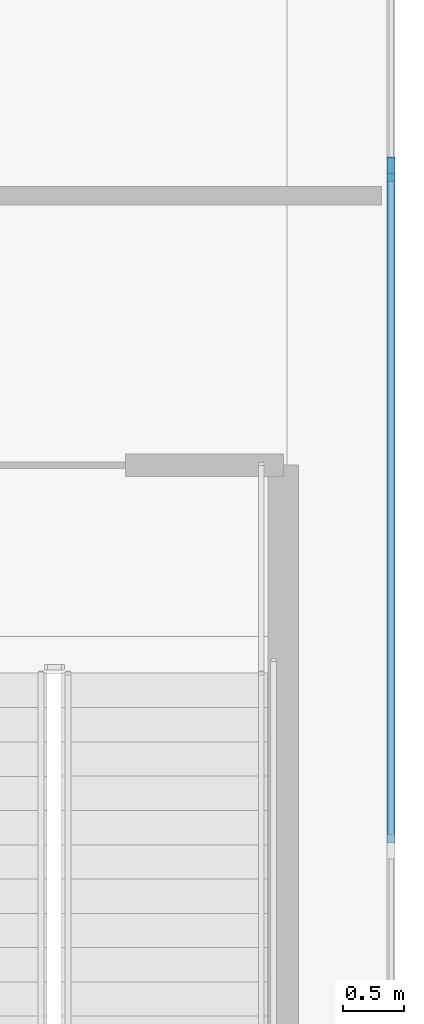
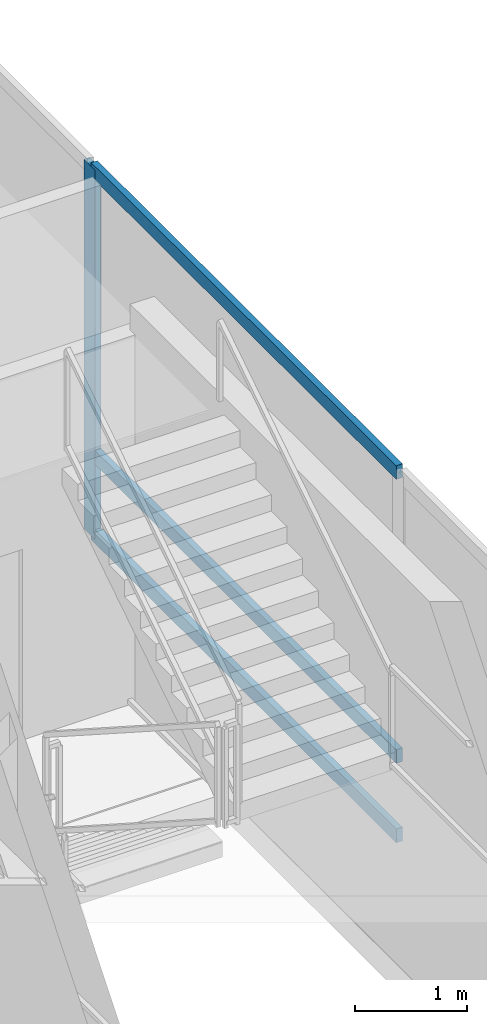
# One storey, part 7 of 19: 4 members, 1 element without a shape of its own.
"""IFC4 building model written with IfcOpenShell, lengths in metres."""

from ifc_helpers import new_model, si_unit, direction, frame, origin, origin_2d, place, context, subcontext, project, spatial, rectangle, extrude, source, transform, mapped, material, layer, layer_set, material_profile, profile_set, type_object, element, aggregate, save


model = new_model("IFC4")

# Units and contexts
model_context = context("Model", 3, precision=1e-05, world=origin(), true_north=direction((0.0, 1.0)))
body_context = subcontext(model_context, "Body", "Model", "MODEL_VIEW")
ifc_project = project(units=[si_unit("LENGTHUNIT", "METRE"), si_unit("AREAUNIT", "SQUARE_METRE"), si_unit("VOLUMEUNIT", "CUBIC_METRE"), si_unit("PLANEANGLEUNIT", "RADIAN"), si_unit("MASSUNIT", "GRAM", prefix="KILO")], contexts=[model_context])

# Site, building, storey
site_placement = place(None, origin())
site = spatial("IfcSite", under=ifc_project, at=site_placement, CompositionType="ELEMENT")
building_placement = place(site_placement, origin())
building = spatial("IfcBuilding", under=site, at=building_placement, Name="Brelvock Crest Care Tower", CompositionType="ELEMENT")
storey_placement = place(building_placement, frame((0.0, 0.0, 18.360107421875)))
storey = spatial("IfcBuildingStorey", under=building, at=storey_placement, Name="L04", CompositionType="ELEMENT", Elevation=18.360107421875)

# Curtain wall, members
ifc_material_1 = material(Name="Dark Glass Double Glazed Low-E", Category="glass")
ifc_layer = layer(ifc_material_1, 0.179931640625, Name="CWS-1")
ifc_layer_set = layer_set([ifc_layer], Name="Dark Glass Double Glazed Low-E")
curtain_wall_type = type_object("IfcCurtainWallType", Name="CWS-1", PredefinedType="NOTDEFINED", material=ifc_layer_set)
curtain_wall_placement = place(storey_placement, origin())
curtain_wall = element("IfcCurtainWall", 1, at=curtain_wall_placement, inside=storey, type_object=curtain_wall_type, Name="L04 Curtain Wall E14", PredefinedType="NOTDEFINED")
ifc_material_2 = material(Name="Aluminium 6063-T6", Category="aluminium")
ifc_material_profile_1 = material_profile(ifc_material_2, rectangle(XDim=0.06494140625, YDim=0.14990234375, at=origin_2d()), Name="ALU65x150")
ifc_profile_set_1 = profile_set([ifc_material_profile_1], Name="Aluminium 6063-T6")
member_type_1 = type_object("IfcMemberType", Name="CWT-1", PredefinedType="USERDEFINED", material=ifc_profile_set_1)
shared_shape_1 = source(origin(), body_context, "Body", "SweptSolid", [
    extrude(rectangle(XDim=0.06494140625, YDim=0.14990234375, at=origin_2d()), origin(), (0.0, 0.0, 1.0), 5.46826171875),
])
member_1_placement = place(storey_placement, frame((65.0, 33.234130859375, 0.032470703125), z_axis=(0.0, -1.0, 0.0), x_axis=(1.0, 0.0, 0.0)))
member_1 = element("IfcMember", 2, at=member_1_placement, type_object=member_type_1, Name="CW-1 transom 5.1", ObjectType="TRANSOM", PredefinedType="USERDEFINED", context=body_context, shape_type="MappedRepresentation", body=[
    mapped(shared_shape_1, transform((0.0, 0.0, 0.0), x_axis=(1.0, 0.0, 0.0), y_axis=(0.0, 1.0, 0.0), z_axis=(0.0, 0.0, 1.0), scale=1.0)),
])
member_2_placement = place(storey_placement, frame((65.0, 33.234130859375, 0.89990234375), z_axis=(0.0, -1.0, 0.0), x_axis=(1.0, 0.0, 0.0)))
member_2 = element("IfcMember", 3, at=member_2_placement, type_object=member_type_1, Name="CW-1 transom 5.2", ObjectType="TRANSOM", PredefinedType="USERDEFINED", context=body_context, shape_type="MappedRepresentation", body=[
    mapped(shared_shape_1, transform((0.0, 0.0, 0.0), x_axis=(1.0, 0.0, 0.0), y_axis=(0.0, 1.0, 0.0), z_axis=(0.0, 0.0, 1.0), scale=1.0)),
])
member_3_placement = place(storey_placement, frame((65.0, 33.234130859375, 4.00732421875), z_axis=(0.0, -1.0, 0.0), x_axis=(1.0, 0.0, 0.0)))
member_3 = element("IfcMember", 4, at=member_3_placement, type_object=member_type_1, Name="CW-1 transom 5.3", ObjectType="TRANSOM", PredefinedType="USERDEFINED", context=body_context, shape_type="MappedRepresentation", body=[
    mapped(shared_shape_1, transform((0.0, 0.0, 0.0), x_axis=(1.0, 0.0, 0.0), y_axis=(0.0, 1.0, 0.0), z_axis=(0.0, 0.0, 1.0), scale=1.0)),
])
ifc_material_profile_2 = material_profile(ifc_material_2, rectangle(XDim=0.06494140625, YDim=0.199951171875, at=origin_2d()), Name="ALU65x200")
ifc_profile_set_2 = profile_set([ifc_material_profile_2], Name="Aluminium 6063-T6")
member_type_2 = type_object("IfcMemberType", Name="CWM-1", PredefinedType="MULLION", material=ifc_profile_set_2)
shared_shape_2 = source(origin(), body_context, "Body", "SweptSolid", [
    extrude(rectangle(XDim=0.06494140625, YDim=0.199951171875, at=origin_2d()), origin(), (0.0, 0.0, 1.0), 4.039794921875),
])
member_4_placement = place(storey_placement, frame((65.0, 33.2666015625, 0.0), z_axis=(0.0, 0.0, 1.0), x_axis=(1.0, 0.0, 0.0)))
member_4 = element("IfcMember", 5, at=member_4_placement, type_object=member_type_2, Name="CW-1 mullion 5", PredefinedType="MULLION", context=body_context, shape_type="MappedRepresentation", body=[
    mapped(shared_shape_2, transform((0.0, 0.0, 0.0), x_axis=(1.0, 0.0, 0.0), y_axis=(0.0, 1.0, 0.0), z_axis=(0.0, 0.0, 1.0), scale=1.0)),
])
aggregate(curtain_wall, [member_4, member_1, member_2, member_3])

save(model, "model.ifc")
